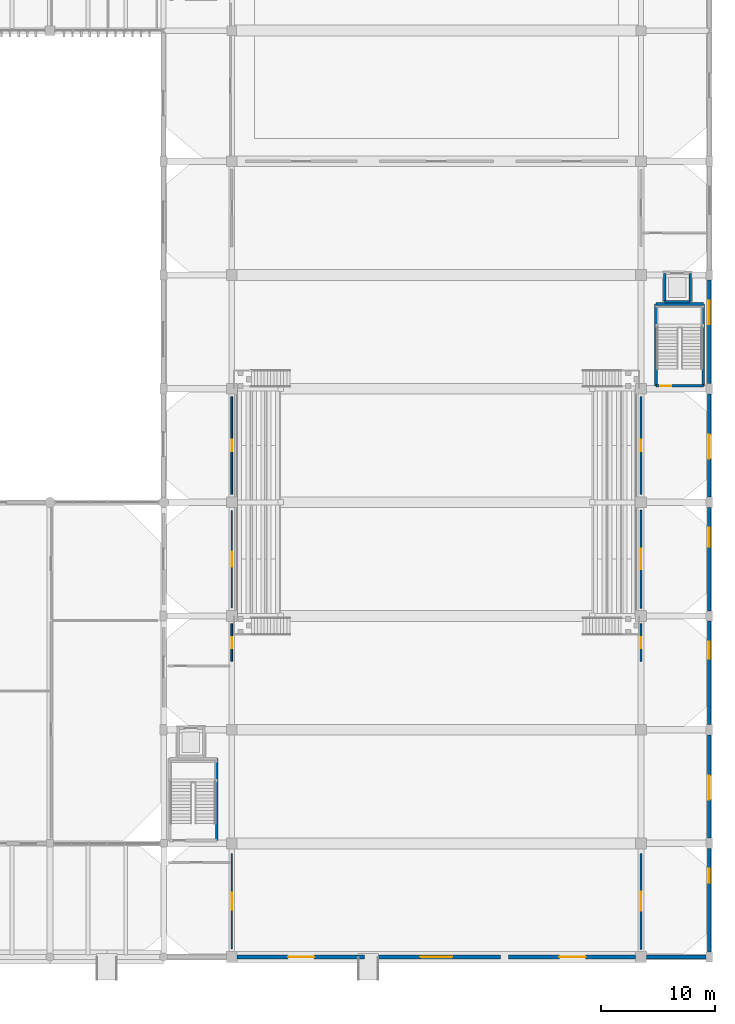
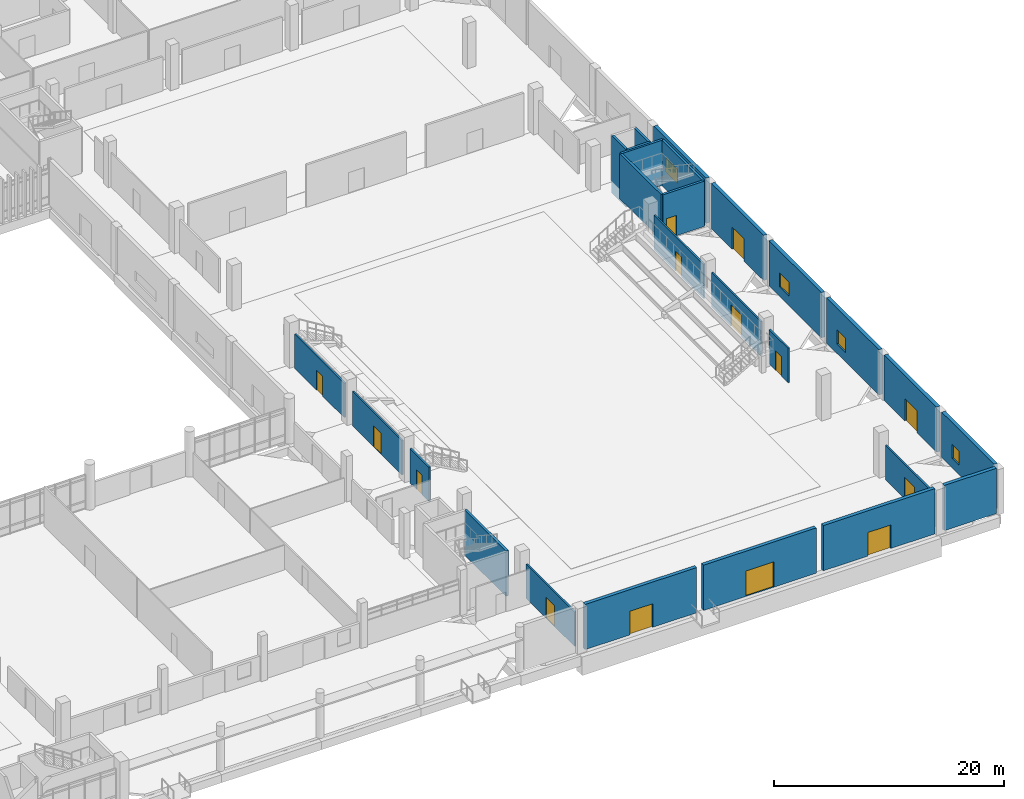
# One storey, part 76 of 87: 26 walls, 14 doors, 4 windows, 18 openings.
"""IFC4 building model written with IfcOpenShell, lengths in metres."""

from ifc_helpers import new_model, si_unit, direction, frame, frame_2d, origin, place, context, subcontext, project, spatial, rectangle, extrude, material, layer, layer_set, type_object, element, fill, save


model = new_model("IFC4")

# Units and contexts
model_context = context("Model", 3, precision=1e-05, world=origin(), true_north=direction((0.0, 1.0)))
body_context = subcontext(model_context, "Body", "Model", "MODEL_VIEW")
ifc_project = project(units=[si_unit("LENGTHUNIT", "METRE"), si_unit("AREAUNIT", "SQUARE_METRE"), si_unit("VOLUMEUNIT", "CUBIC_METRE"), si_unit("PLANEANGLEUNIT", "RADIAN"), si_unit("MASSUNIT", "GRAM", prefix="KILO")], contexts=[model_context])

# Site, building, storey
site_placement = place(None, origin())
site = spatial("IfcSite", under=ifc_project, at=site_placement, CompositionType="ELEMENT")
building_placement = place(site_placement, origin())
building = spatial("IfcBuilding", under=site, at=building_placement, Name="Mersad Railyard Sports Hall", CompositionType="ELEMENT")
storey_placement = place(building_placement, origin())
storey = spatial("IfcBuildingStorey", under=building, at=storey_placement, Name="L00", CompositionType="ELEMENT", Elevation=0.0)

# Wall, opening, door
ifc_material_1 = material(Name="Architectural concrete C50/60", Category="concrete")
ifc_layer_1 = layer(ifc_material_1, 0.35009765625)
ifc_layer_set_1 = layer_set([ifc_layer_1], Name="Architectural concrete C50/60")
wall_type_1 = type_object("IfcWallType", Name="ARC-WL-EW02", PredefinedType="SOLIDWALL", material=ifc_layer_set_1)
wall_1_placement = place(storey_placement, frame((148.64990234375, 3.5, 0.0), z_axis=(0.0, 0.0, 1.0), x_axis=(-1.0, 0.0, 0.0)))
wall_1 = element("IfcWall", 1, at=wall_1_placement, inside=storey, type_object=wall_type_1, Name="External wall EW02-0080", PredefinedType="SOLIDWALL", context=body_context, shape_type="SweptSolid", body=[
    extrude(rectangle(XDim=11.1748046875, YDim=0.35009765625, at=frame_2d((5.58740234375, 0.0))), origin(), (0.0, 0.0, 1.0), 4.800048828125),
])
opening_1_placement = place(wall_1_placement, frame((4.39990234375, 0.0, 0.0)))
opening_1 = element("IfcOpeningElement", 2, at=opening_1_placement, cuts=wall_1, Name="Opening ED04", PredefinedType="OPENING", context=body_context, shape_type="SweptSolid", body=[
    extrude(rectangle(XDim=2.300048828125, YDim=2.5, at=frame_2d((1.14990234375, 1.25))), frame((0.0, 0.18505859375, 0.0), z_axis=(0.0, -1.0, 0.0), x_axis=(1.0, 0.0, 0.0)), (0.0, 0.0, 1.0), 0.3701171875),
])
ifc_material_2 = material(Name="Aluminium 6063-T6", Category="aluminium")
door_type_1 = type_object("IfcDoorType", Name="ARC-DR-ED04", OperationType="NOTDEFINED", PredefinedType="DOOR", material=ifc_material_2)
door_1_placement = place(opening_1_placement, origin())
door_1 = element("IfcDoor", 3, at=door_1_placement, inside=storey, type_object=door_type_1, Name="Show court south exit door ED04-022", OperationType="DOUBLE_DOOR_SINGLE_SWING", OverallHeight=2.5, OverallWidth=2.300048828125, PredefinedType="DOOR", context=body_context, shape_type="SweptSolid", body=[
    extrude(rectangle(XDim=2.300048828125, YDim=2.5, at=frame_2d((1.14990234375, 1.25))), frame((0.0, 0.02490234375, 0.0), z_axis=(0.0, -1.0, 0.0), x_axis=(1.0, 0.0, 0.0)), (0.0, 0.0, 1.0), 0.050048828125),
])
fill(opening_1, door_1)

wall_2_placement = place(storey_placement, frame((160.64990234375, 3.5, 0.0), z_axis=(0.0, 0.0, 1.0), x_axis=(-1.0, 0.0, 0.0)))
wall_2 = element("IfcWall", 4, at=wall_2_placement, inside=storey, type_object=wall_type_1, Name="External wall EW02-0081", PredefinedType="SOLIDWALL", context=body_context, shape_type="SweptSolid", body=[
    extrude(rectangle(XDim=11.2998046875, YDim=0.35009765625, at=frame_2d((5.64990234375, 0.0))), origin(), (0.0, 0.0, 1.0), 4.800048828125),
])
opening_2_placement = place(wall_2_placement, frame((4.25, 0.0, 0.0)))
opening_2 = element("IfcOpeningElement", 5, at=opening_2_placement, cuts=wall_2, Name="Opening GT01", PredefinedType="OPENING", context=body_context, shape_type="SweptSolid", body=[
    extrude(rectangle(XDim=2.800048828125, YDim=2.699951171875, at=frame_2d((1.39990234375, 1.35009765625))), frame((0.0, 0.18505859375, 0.0), z_axis=(0.0, -1.0, 0.0), x_axis=(1.0, 0.0, 0.0)), (0.0, 0.0, 1.0), 0.3701171875),
])
ifc_material_3 = material(Name="Steel S355", Category="steel")
door_type_2 = type_object("IfcDoorType", Name="ARC-DR-GT01", OperationType="NOTDEFINED", PredefinedType="GATE", material=ifc_material_3)
door_2_placement = place(opening_2_placement, origin())
door_2 = element("IfcDoor", 6, at=door_2_placement, inside=storey, type_object=door_type_2, Name="Arena floor gate GT01-023", OperationType="DOUBLE_DOOR_SINGLE_SWING", OverallHeight=2.699951171875, OverallWidth=2.800048828125, PredefinedType="GATE", context=body_context, shape_type="SweptSolid", body=[
    extrude(rectangle(XDim=2.800048828125, YDim=2.699951171875, at=frame_2d((1.39990234375, 1.35009765625))), frame((0.0, 0.02490234375, 0.0), z_axis=(0.0, -1.0, 0.0), x_axis=(1.0, 0.0, 0.0)), (0.0, 0.0, 1.0), 0.050048828125),
])
fill(opening_2, door_2)

wall_3_placement = place(storey_placement, frame((172.52490234375, 3.5, 0.0), z_axis=(0.0, 0.0, 1.0), x_axis=(-1.0, 0.0, 0.0)))
wall_3 = element("IfcWall", 7, at=wall_3_placement, inside=storey, type_object=wall_type_1, Name="External wall EW02-0082", PredefinedType="SOLIDWALL", context=body_context, shape_type="SweptSolid", body=[
    extrude(rectangle(XDim=11.1748046875, YDim=0.35009765625, at=frame_2d((5.58740234375, 0.0))), origin(), (0.0, 0.0, 1.0), 4.800048828125),
])
opening_3_placement = place(wall_3_placement, frame((4.39990234375, 0.0, 0.0)))
opening_3 = element("IfcOpeningElement", 8, at=opening_3_placement, cuts=wall_3, Name="Opening ED04", PredefinedType="OPENING", context=body_context, shape_type="SweptSolid", body=[
    extrude(rectangle(XDim=2.300048828125, YDim=2.5, at=frame_2d((1.14990234375, 1.25))), frame((0.0, 0.18505859375, 0.0), z_axis=(0.0, -1.0, 0.0), x_axis=(1.0, 0.0, 0.0)), (0.0, 0.0, 1.0), 0.3701171875),
])
door_3_placement = place(opening_3_placement, origin())
door_3 = element("IfcDoor", 9, at=door_3_placement, inside=storey, type_object=door_type_1, Name="Show court south exit door ED04-024", OperationType="DOUBLE_DOOR_SINGLE_SWING", OverallHeight=2.5, OverallWidth=2.300048828125, PredefinedType="DOOR", context=body_context, shape_type="SweptSolid", body=[
    extrude(rectangle(XDim=2.300048828125, YDim=2.5, at=frame_2d((1.14990234375, 1.25))), frame((0.0, 0.02490234375, 0.0), z_axis=(0.0, -1.0, 0.0), x_axis=(1.0, 0.0, 0.0)), (0.0, 0.0, 1.0), 0.050048828125),
])
fill(opening_3, door_3)

# Wall
wall_4_placement = place(storey_placement, frame((178.699951171875, 3.5, 0.0), z_axis=(0.0, 0.0, 1.0), x_axis=(-1.0, 0.0, 0.0)))
element("IfcWall", 10, at=wall_4_placement, inside=storey, type_object=wall_type_1, Name="External wall EW02-0083", PredefinedType="SOLIDWALL", context=body_context, shape_type="SweptSolid", body=[
    extrude(rectangle(XDim=5.224853515625, YDim=0.35009765625, at=frame_2d((2.6123046875, 0.0))), origin(), (0.0, 0.0, 1.0), 4.800048828125),
])

# Wall, opening, window
wall_5_placement = place(storey_placement, frame((179.0, 13.050048828125, 0.0), z_axis=(0.0, 0.0, 1.0), x_axis=(0.0, -1.0, 0.0)))
wall_5 = element("IfcWall", 11, at=wall_5_placement, inside=storey, type_object=wall_type_1, Name="External wall EW02-0084", PredefinedType="SOLIDWALL", context=body_context, shape_type="SweptSolid", body=[
    extrude(rectangle(XDim=9.10009765625, YDim=0.35009765625, at=frame_2d((4.550048828125, 0.0))), origin(), (0.0, 0.0, 1.0), 4.800048828125),
])
opening_4_placement = place(wall_5_placement, frame((1.800048828125, 0.0, 1.0)))
opening_4 = element("IfcOpeningElement", 12, at=opening_4_placement, cuts=wall_5, Name="Opening W01", PredefinedType="OPENING", context=body_context, shape_type="SweptSolid", body=[
    extrude(rectangle(XDim=1.199951171875, YDim=1.5, at=frame_2d((0.60009765625, 0.75))), frame((0.0, 0.18505859375, 0.0), z_axis=(0.0, -1.0, 0.0), x_axis=(1.0, 0.0, 0.0)), (0.0, 0.0, 1.0), 0.3701171875),
])
ifc_material_4 = material(Name="Solar-control glass", Category="glass")
window_type_1 = type_object("IfcWindowType", Name="ARC-WN-W01", PartitioningType="SINGLE_PANEL", PredefinedType="WINDOW", material=ifc_material_4)
window_1_placement = place(opening_4_placement, origin())
window_1 = element("IfcWindow", 13, at=window_1_placement, inside=storey, type_object=window_type_1, Name="Window W01-0016", OverallHeight=1.5, OverallWidth=1.199951171875, PartitioningType="SINGLE_PANEL", PredefinedType="WINDOW", context=body_context, shape_type="SweptSolid", body=[
    extrude(rectangle(XDim=1.199951171875, YDim=1.5, at=frame_2d((0.60009765625, 0.75))), frame((0.0, 0.030029296875, 0.0), z_axis=(0.0, -1.0, 0.0), x_axis=(1.0, 0.0, 0.0)), (0.0, 0.0, 1.0), 0.06005859375),
])
fill(opening_4, window_1)

# Wall, opening, door
wall_6_placement = place(storey_placement, frame((179.0, 23.050048828125, 0.0), z_axis=(0.0, 0.0, 1.0), x_axis=(0.0, -1.0, 0.0)))
wall_6 = element("IfcWall", 14, at=wall_6_placement, inside=storey, type_object=wall_type_1, Name="External wall EW02-0085", PredefinedType="SOLIDWALL", context=body_context, shape_type="SweptSolid", body=[
    extrude(rectangle(XDim=9.10009765625, YDim=0.35009765625, at=frame_2d((4.550048828125, 0.0))), origin(), (0.0, 0.0, 1.0), 4.800048828125),
])
opening_5_placement = place(wall_6_placement, frame((3.60009765625, 0.0, 0.0)))
opening_5 = element("IfcOpeningElement", 15, at=opening_5_placement, cuts=wall_6, Name="Opening ED02", PredefinedType="OPENING", context=body_context, shape_type="SweptSolid", body=[
    extrude(rectangle(XDim=2.10009765625, YDim=2.35009765625, at=frame_2d((1.050048828125, 1.175048828125))), frame((0.0, 0.18505859375, 0.0), z_axis=(0.0, -1.0, 0.0), x_axis=(1.0, 0.0, 0.0)), (0.0, 0.0, 1.0), 0.3701171875),
])
door_type_3 = type_object("IfcDoorType", Name="ARC-DR-ED02", OperationType="NOTDEFINED", PredefinedType="DOOR", material=ifc_material_2)
door_4_placement = place(opening_5_placement, origin())
door_4 = element("IfcDoor", 16, at=door_4_placement, inside=storey, type_object=door_type_3, Name="East concourse exit door ED02-025", OperationType="DOUBLE_DOOR_SINGLE_SWING", OverallHeight=2.35009765625, OverallWidth=2.10009765625, PredefinedType="DOOR", context=body_context, shape_type="SweptSolid", body=[
    extrude(rectangle(XDim=2.10009765625, YDim=2.35009765625, at=frame_2d((1.050048828125, 1.175048828125))), frame((0.0, 0.02490234375, 0.0), z_axis=(0.0, -1.0, 0.0), x_axis=(1.0, 0.0, 0.0)), (0.0, 0.0, 1.0), 0.050048828125),
])
fill(opening_5, door_4)

# Wall, opening, window
wall_7_placement = place(storey_placement, frame((179.0, 33.050048828125, 0.0), z_axis=(0.0, 0.0, 1.0), x_axis=(0.0, -1.0, 0.0)))
wall_7 = element("IfcWall", 17, at=wall_7_placement, inside=storey, type_object=wall_type_1, Name="External wall EW02-0086", PredefinedType="SOLIDWALL", context=body_context, shape_type="SweptSolid", body=[
    extrude(rectangle(XDim=9.10009765625, YDim=0.35009765625, at=frame_2d((4.550048828125, 0.0))), origin(), (0.0, 0.0, 1.0), 4.800048828125),
])
opening_6_placement = place(wall_7_placement, frame((1.800048828125, 0.0, 1.0)))
opening_6 = element("IfcOpeningElement", 18, at=opening_6_placement, cuts=wall_7, Name="Opening W03", PredefinedType="OPENING", context=body_context, shape_type="SweptSolid", body=[
    extrude(rectangle(XDim=1.5, YDim=1.5, at=frame_2d((0.75, 0.75))), frame((0.0, 0.18505859375, 0.0), z_axis=(0.0, -1.0, 0.0), x_axis=(1.0, 0.0, 0.0)), (0.0, 0.0, 1.0), 0.3701171875),
])
window_type_2 = type_object("IfcWindowType", Name="ARC-WN-W03", PartitioningType="SINGLE_PANEL", PredefinedType="WINDOW", material=ifc_material_4)
window_2_placement = place(opening_6_placement, origin())
window_2 = element("IfcWindow", 19, at=window_2_placement, inside=storey, type_object=window_type_2, Name="Window W03-0017", OverallHeight=1.5, OverallWidth=1.5, PartitioningType="SINGLE_PANEL", PredefinedType="WINDOW", context=body_context, shape_type="SweptSolid", body=[
    extrude(rectangle(XDim=1.5, YDim=1.5, at=frame_2d((0.75, 0.75))), frame((0.0, 0.030029296875, 0.0), z_axis=(0.0, -1.0, 0.0), x_axis=(1.0, 0.0, 0.0)), (0.0, 0.0, 1.0), 0.06005859375),
])
fill(opening_6, window_2)

wall_8_placement = place(storey_placement, frame((179.0, 43.050048828125, 0.0), z_axis=(0.0, 0.0, 1.0), x_axis=(0.0, -1.0, 0.0)))
wall_8 = element("IfcWall", 20, at=wall_8_placement, inside=storey, type_object=wall_type_1, Name="External wall EW02-0087", PredefinedType="SOLIDWALL", context=body_context, shape_type="SweptSolid", body=[
    extrude(rectangle(XDim=9.10009765625, YDim=0.35009765625, at=frame_2d((4.550048828125, 0.0))), origin(), (0.0, 0.0, 1.0), 4.800048828125),
])
opening_7_placement = place(wall_8_placement, frame((1.800048828125, 0.0, 1.0)))
opening_7 = element("IfcOpeningElement", 21, at=opening_7_placement, cuts=wall_8, Name="Opening W04", PredefinedType="OPENING", context=body_context, shape_type="SweptSolid", body=[
    extrude(rectangle(XDim=1.64990234375, YDim=1.5, at=frame_2d((0.824951171875, 0.75))), frame((0.0, 0.18505859375, 0.0), z_axis=(0.0, -1.0, 0.0), x_axis=(1.0, 0.0, 0.0)), (0.0, 0.0, 1.0), 0.3701171875),
])
window_type_3 = type_object("IfcWindowType", Name="ARC-WN-W04", PartitioningType="SINGLE_PANEL", PredefinedType="WINDOW", material=ifc_material_4)
window_3_placement = place(opening_7_placement, origin())
window_3 = element("IfcWindow", 22, at=window_3_placement, inside=storey, type_object=window_type_3, Name="Window W04-0018", OverallHeight=1.5, OverallWidth=1.64990234375, PartitioningType="SINGLE_PANEL", PredefinedType="WINDOW", context=body_context, shape_type="SweptSolid", body=[
    extrude(rectangle(XDim=1.64990234375, YDim=1.5, at=frame_2d((0.824951171875, 0.75))), frame((0.0, 0.030029296875, 0.0), z_axis=(0.0, -1.0, 0.0), x_axis=(1.0, 0.0, 0.0)), (0.0, 0.0, 1.0), 0.06005859375),
])
fill(opening_7, window_3)

# Wall, opening, door
wall_9_placement = place(storey_placement, frame((179.0, 53.050048828125, 0.0), z_axis=(0.0, 0.0, 1.0), x_axis=(0.0, -1.0, 0.0)))
wall_9 = element("IfcWall", 23, at=wall_9_placement, inside=storey, type_object=wall_type_1, Name="External wall EW02-0088", PredefinedType="SOLIDWALL", context=body_context, shape_type="SweptSolid", body=[
    extrude(rectangle(XDim=9.10009765625, YDim=0.35009765625, at=frame_2d((4.550048828125, 0.0))), origin(), (0.0, 0.0, 1.0), 4.800048828125),
])
opening_8_placement = place(wall_9_placement, frame((3.60009765625, 0.0, 0.0)))
opening_8 = element("IfcOpeningElement", 24, at=opening_8_placement, cuts=wall_9, Name="Opening ED02", PredefinedType="OPENING", context=body_context, shape_type="SweptSolid", body=[
    extrude(rectangle(XDim=2.10009765625, YDim=2.35009765625, at=frame_2d((1.050048828125, 1.175048828125))), frame((0.0, 0.18505859375, 0.0), z_axis=(0.0, -1.0, 0.0), x_axis=(1.0, 0.0, 0.0)), (0.0, 0.0, 1.0), 0.3701171875),
])
door_5_placement = place(opening_8_placement, origin())
door_5 = element("IfcDoor", 25, at=door_5_placement, inside=storey, type_object=door_type_3, Name="East concourse exit door ED02-026", OperationType="DOUBLE_DOOR_SINGLE_SWING", OverallHeight=2.35009765625, OverallWidth=2.10009765625, PredefinedType="DOOR", context=body_context, shape_type="SweptSolid", body=[
    extrude(rectangle(XDim=2.10009765625, YDim=2.35009765625, at=frame_2d((1.050048828125, 1.175048828125))), frame((0.0, 0.02490234375, 0.0), z_axis=(0.0, -1.0, 0.0), x_axis=(1.0, 0.0, 0.0)), (0.0, 0.0, 1.0), 0.050048828125),
])
fill(opening_8, door_5)

# Wall, opening, window
wall_10_placement = place(storey_placement, frame((179.0, 63.050048828125, 0.0), z_axis=(0.0, 0.0, 1.0), x_axis=(0.0, -1.0, 0.0)))
wall_10 = element("IfcWall", 26, at=wall_10_placement, inside=storey, type_object=wall_type_1, Name="External wall EW02-0089", PredefinedType="SOLIDWALL", context=body_context, shape_type="SweptSolid", body=[
    extrude(rectangle(XDim=9.10009765625, YDim=0.35009765625, at=frame_2d((4.550048828125, 0.0))), origin(), (0.0, 0.0, 1.0), 4.800048828125),
])
opening_9_placement = place(wall_10_placement, frame((1.800048828125, 0.0, 1.0)))
opening_9 = element("IfcOpeningElement", 27, at=opening_9_placement, cuts=wall_10, Name="Opening W06", PredefinedType="OPENING", context=body_context, shape_type="SweptSolid", body=[
    extrude(rectangle(XDim=2.10009765625, YDim=1.5, at=frame_2d((1.050048828125, 0.75))), frame((0.0, 0.18505859375, 0.0), z_axis=(0.0, -1.0, 0.0), x_axis=(1.0, 0.0, 0.0)), (0.0, 0.0, 1.0), 0.3701171875),
])
window_type_4 = type_object("IfcWindowType", Name="ARC-WN-W06", PartitioningType="DOUBLE_PANEL_VERTICAL", PredefinedType="WINDOW", material=ifc_material_4)
window_4_placement = place(opening_9_placement, origin())
window_4 = element("IfcWindow", 28, at=window_4_placement, inside=storey, type_object=window_type_4, Name="Window W06-0019", OverallHeight=1.5, OverallWidth=2.10009765625, PartitioningType="DOUBLE_PANEL_VERTICAL", PredefinedType="WINDOW", context=body_context, shape_type="SweptSolid", body=[
    extrude(rectangle(XDim=2.10009765625, YDim=1.5, at=frame_2d((1.050048828125, 0.75))), frame((0.0, 0.030029296875, 0.0), z_axis=(0.0, -1.0, 0.0), x_axis=(1.0, 0.0, 0.0)), (0.0, 0.0, 1.0), 0.06005859375),
])
fill(opening_9, window_4)

# Wall, opening, door
ifc_material_5 = material(Name="Gypsum plasterboard", Category="gypsum")
ifc_layer_2 = layer(ifc_material_5, 0.159912109375)
ifc_layer_set_2 = layer_set([ifc_layer_2], Name="Gypsum plasterboard")
wall_type_2 = type_object("IfcWallType", Name="ARC-WL-PT02", PredefinedType="PARTITIONING", material=ifc_layer_set_2)
wall_11_placement = place(storey_placement, frame((137.0, 4.199951171875, 0.0), z_axis=(0.0, 0.0, 1.0), x_axis=(0.0, 1.0, 0.0)))
wall_11 = element("IfcWall", 29, at=wall_11_placement, inside=storey, type_object=wall_type_2, Name="Interior wall PT02-0557", PredefinedType="PARTITIONING", context=body_context, shape_type="SweptSolid", body=[
    extrude(rectangle(XDim=8.400146484375, YDim=0.159912109375, at=frame_2d((4.2001953125, 0.0))), origin(), (0.0, 0.0, 1.0), 3.64501953125),
])
opening_10_placement = place(wall_11_placement, frame((3.449951171875, 0.0, 0.0)))
opening_10 = element("IfcOpeningElement", 30, at=opening_10_placement, cuts=wall_11, Name="Opening FD10", PredefinedType="OPENING", context=body_context, shape_type="SweptSolid", body=[
    extrude(rectangle(XDim=1.5, YDim=2.199951171875, at=frame_2d((0.75, 1.10009765625))), frame((0.0, 0.08984375, 0.0), z_axis=(0.0, -1.0, 0.0), x_axis=(1.0, 0.0, 0.0)), (0.0, 0.0, 1.0), 0.179931640625),
])
door_type_4 = type_object("IfcDoorType", Name="ARC-DR-FD10", OperationType="NOTDEFINED", PredefinedType="DOOR", material=ifc_material_3)
door_6_placement = place(opening_10_placement, origin())
door_6 = element("IfcDoor", 31, at=door_6_placement, inside=storey, type_object=door_type_4, Name="West concourse arena door FD10-0260", OperationType="DOUBLE_DOOR_SINGLE_SWING", OverallHeight=2.199951171875, OverallWidth=1.5, PredefinedType="DOOR", context=body_context, shape_type="SweptSolid", body=[
    extrude(rectangle(XDim=1.5, YDim=2.199951171875, at=frame_2d((0.75, 1.10009765625))), frame((0.0, 0.02490234375, 0.0), z_axis=(0.0, -1.0, 0.0), x_axis=(1.0, 0.0, 0.0)), (0.0, 0.0, 1.0), 0.050048828125),
])
fill(opening_10, door_6)

wall_12_placement = place(storey_placement, frame((173.0, 4.199951171875, 0.0), z_axis=(0.0, 0.0, 1.0), x_axis=(0.0, 1.0, 0.0)))
wall_12 = element("IfcWall", 32, at=wall_12_placement, inside=storey, type_object=wall_type_2, Name="Interior wall PT02-0558", PredefinedType="PARTITIONING", context=body_context, shape_type="SweptSolid", body=[
    extrude(rectangle(XDim=8.400146484375, YDim=0.159912109375, at=frame_2d((4.2001953125, 0.0))), origin(), (0.0, 0.0, 1.0), 3.64501953125),
])
opening_11_placement = place(wall_12_placement, frame((3.35009765625, 0.0, 0.0)))
opening_11 = element("IfcOpeningElement", 33, at=opening_11_placement, cuts=wall_12, Name="Opening FD11", PredefinedType="OPENING", context=body_context, shape_type="SweptSolid", body=[
    extrude(rectangle(XDim=1.699951171875, YDim=2.25, at=frame_2d((0.85009765625, 1.125))), frame((0.0, 0.08984375, 0.0), z_axis=(0.0, -1.0, 0.0), x_axis=(1.0, 0.0, 0.0)), (0.0, 0.0, 1.0), 0.179931640625),
])
door_type_5 = type_object("IfcDoorType", Name="ARC-DR-FD11", OperationType="NOTDEFINED", PredefinedType="DOOR", material=ifc_material_3)
door_7_placement = place(opening_11_placement, origin())
door_7 = element("IfcDoor", 34, at=door_7_placement, inside=storey, type_object=door_type_5, Name="East concourse arena door FD11-0261", OperationType="DOUBLE_DOOR_SINGLE_SWING", OverallHeight=2.25, OverallWidth=1.699951171875, PredefinedType="DOOR", context=body_context, shape_type="SweptSolid", body=[
    extrude(rectangle(XDim=1.699951171875, YDim=2.25, at=frame_2d((0.85009765625, 1.125))), frame((0.0, 0.02490234375, 0.0), z_axis=(0.0, -1.0, 0.0), x_axis=(1.0, 0.0, 0.0)), (0.0, 0.0, 1.0), 0.050048828125),
])
fill(opening_11, door_7)

wall_13_placement = place(storey_placement, frame((137.0, 29.5, 0.0), z_axis=(0.0, 0.0, 1.0), x_axis=(0.0, 1.0, 0.0)))
wall_13 = element("IfcWall", 35, at=wall_13_placement, inside=storey, type_object=wall_type_2, Name="Interior wall PT02-0559", PredefinedType="PARTITIONING", context=body_context, shape_type="SweptSolid", body=[
    extrude(rectangle(XDim=3.300048828125, YDim=0.159912109375, at=frame_2d((1.64990234375, 0.0))), origin(), (0.0, 0.0, 1.0), 3.64501953125),
])
opening_12_placement = place(wall_13_placement, frame((1.159912109375, 0.0, 0.0)))
opening_12 = element("IfcOpeningElement", 36, at=opening_12_placement, cuts=wall_13, Name="Opening FD06", PredefinedType="OPENING", context=body_context, shape_type="SweptSolid", body=[
    extrude(rectangle(XDim=0.97998046875, YDim=2.10009765625, at=frame_2d((0.489990234375, 1.050048828125))), frame((0.0, 0.08984375, 0.0), z_axis=(0.0, -1.0, 0.0), x_axis=(1.0, 0.0, 0.0)), (0.0, 0.0, 1.0), 0.179931640625),
])
door_type_6 = type_object("IfcDoorType", Name="ARC-DR-FD06", OperationType="NOTDEFINED", PredefinedType="DOOR", material=ifc_material_3)
door_8_placement = place(opening_12_placement, origin())
door_8 = element("IfcDoor", 37, at=door_8_placement, inside=storey, type_object=door_type_6, Name="West concourse arena door FD06-0262", OperationType="SINGLE_SWING_RIGHT", OverallHeight=2.10009765625, OverallWidth=0.97998046875, PredefinedType="DOOR", context=body_context, shape_type="SweptSolid", body=[
    extrude(rectangle(XDim=0.97998046875, YDim=2.10009765625, at=frame_2d((0.489990234375, 1.050048828125))), frame((0.0, 0.02490234375, 0.0), z_axis=(0.0, -1.0, 0.0), x_axis=(1.0, 0.0, 0.0)), (0.0, 0.0, 1.0), 0.050048828125),
])
fill(opening_12, door_8)

wall_14_placement = place(storey_placement, frame((173.0, 29.5, 0.0), z_axis=(0.0, 0.0, 1.0), x_axis=(0.0, 1.0, 0.0)))
wall_14 = element("IfcWall", 38, at=wall_14_placement, inside=storey, type_object=wall_type_2, Name="Interior wall PT02-0560", PredefinedType="PARTITIONING", context=body_context, shape_type="SweptSolid", body=[
    extrude(rectangle(XDim=3.300048828125, YDim=0.159912109375, at=frame_2d((1.64990234375, 0.0))), origin(), (0.0, 0.0, 1.0), 3.64501953125),
])
opening_13_placement = place(wall_14_placement, frame((1.159912109375, 0.0, 0.0)))
opening_13 = element("IfcOpeningElement", 39, at=opening_13_placement, cuts=wall_14, Name="Opening FD06", PredefinedType="OPENING", context=body_context, shape_type="SweptSolid", body=[
    extrude(rectangle(XDim=0.97998046875, YDim=2.10009765625, at=frame_2d((0.489990234375, 1.050048828125))), frame((0.0, 0.08984375, 0.0), z_axis=(0.0, -1.0, 0.0), x_axis=(1.0, 0.0, 0.0)), (0.0, 0.0, 1.0), 0.179931640625),
])
door_9_placement = place(opening_13_placement, origin())
door_9 = element("IfcDoor", 40, at=door_9_placement, inside=storey, type_object=door_type_6, Name="East concourse arena door FD06-0263", OperationType="SINGLE_SWING_LEFT", OverallHeight=2.10009765625, OverallWidth=0.97998046875, PredefinedType="DOOR", context=body_context, shape_type="SweptSolid", body=[
    extrude(rectangle(XDim=0.97998046875, YDim=2.10009765625, at=frame_2d((0.489990234375, 1.050048828125))), frame((0.0, 0.02490234375, 0.0), z_axis=(0.0, -1.0, 0.0), x_axis=(1.0, 0.0, 0.0)), (0.0, 0.0, 1.0), 0.050048828125),
])
fill(opening_13, door_9)

wall_15_placement = place(storey_placement, frame((137.0, 34.199951171875, 0.0), z_axis=(0.0, 0.0, 1.0), x_axis=(0.0, 1.0, 0.0)))
wall_15 = element("IfcWall", 41, at=wall_15_placement, inside=storey, type_object=wall_type_2, Name="Interior wall PT02-0561", PredefinedType="PARTITIONING", context=body_context, shape_type="SweptSolid", body=[
    extrude(rectangle(XDim=8.60009765625, YDim=0.159912109375, at=frame_2d((4.300048828125, 0.0))), origin(), (0.0, 0.0, 1.0), 3.64501953125),
])
opening_14_placement = place(wall_15_placement, frame((3.64990234375, 0.0, 0.0)))
opening_14 = element("IfcOpeningElement", 42, at=opening_14_placement, cuts=wall_15, Name="Opening FD03", PredefinedType="OPENING", context=body_context, shape_type="SweptSolid", body=[
    extrude(rectangle(XDim=1.300048828125, YDim=2.199951171875, at=frame_2d((0.64990234375, 1.10009765625))), frame((0.0, 0.08984375, 0.0), z_axis=(0.0, -1.0, 0.0), x_axis=(1.0, 0.0, 0.0)), (0.0, 0.0, 1.0), 0.179931640625),
])
door_type_7 = type_object("IfcDoorType", Name="ARC-DR-FD03", OperationType="NOTDEFINED", PredefinedType="DOOR", material=ifc_material_3)
door_10_placement = place(opening_14_placement, origin())
door_10 = element("IfcDoor", 43, at=door_10_placement, inside=storey, type_object=door_type_7, Name="West concourse arena door FD03-0264", OperationType="SINGLE_SWING_RIGHT", OverallHeight=2.199951171875, OverallWidth=1.300048828125, PredefinedType="DOOR", context=body_context, shape_type="SweptSolid", body=[
    extrude(rectangle(XDim=1.300048828125, YDim=2.199951171875, at=frame_2d((0.64990234375, 1.10009765625))), frame((0.0, 0.02490234375, 0.0), z_axis=(0.0, -1.0, 0.0), x_axis=(1.0, 0.0, 0.0)), (0.0, 0.0, 1.0), 0.050048828125),
])
fill(opening_14, door_10)

wall_16_placement = place(storey_placement, frame((173.0, 34.199951171875, 0.0), z_axis=(0.0, 0.0, 1.0), x_axis=(0.0, 1.0, 0.0)))
wall_16 = element("IfcWall", 44, at=wall_16_placement, inside=storey, type_object=wall_type_2, Name="Interior wall PT02-0562", PredefinedType="PARTITIONING", context=body_context, shape_type="SweptSolid", body=[
    extrude(rectangle(XDim=8.60009765625, YDim=0.159912109375, at=frame_2d((4.300048828125, 0.0))), origin(), (0.0, 0.0, 1.0), 3.64501953125),
])
opening_15_placement = place(wall_16_placement, frame((3.39990234375, 0.0, 0.0)))
opening_15 = element("IfcOpeningElement", 45, at=opening_15_placement, cuts=wall_16, Name="Opening FD05", PredefinedType="OPENING", context=body_context, shape_type="SweptSolid", body=[
    extrude(rectangle(XDim=1.800048828125, YDim=2.25, at=frame_2d((0.89990234375, 1.125))), frame((0.0, 0.08984375, 0.0), z_axis=(0.0, -1.0, 0.0), x_axis=(1.0, 0.0, 0.0)), (0.0, 0.0, 1.0), 0.179931640625),
])
door_type_8 = type_object("IfcDoorType", Name="ARC-DR-FD05", OperationType="NOTDEFINED", PredefinedType="DOOR", material=ifc_material_3)
door_11_placement = place(opening_15_placement, origin())
door_11 = element("IfcDoor", 46, at=door_11_placement, inside=storey, type_object=door_type_8, Name="East concourse arena door FD05-0265", OperationType="DOUBLE_DOOR_SINGLE_SWING", OverallHeight=2.25, OverallWidth=1.800048828125, PredefinedType="DOOR", context=body_context, shape_type="SweptSolid", body=[
    extrude(rectangle(XDim=1.800048828125, YDim=2.25, at=frame_2d((0.89990234375, 1.125))), frame((0.0, 0.02490234375, 0.0), z_axis=(0.0, -1.0, 0.0), x_axis=(1.0, 0.0, 0.0)), (0.0, 0.0, 1.0), 0.050048828125),
])
fill(opening_15, door_11)

wall_17_placement = place(storey_placement, frame((137.0, 44.199951171875, 0.0), z_axis=(0.0, 0.0, 1.0), x_axis=(0.0, 1.0, 0.0)))
wall_17 = element("IfcWall", 47, at=wall_17_placement, inside=storey, type_object=wall_type_2, Name="Interior wall PT02-0563", PredefinedType="PARTITIONING", context=body_context, shape_type="SweptSolid", body=[
    extrude(rectangle(XDim=8.60009765625, YDim=0.159912109375, at=frame_2d((4.300048828125, 0.0))), origin(), (0.0, 0.0, 1.0), 3.64501953125),
])
opening_16_placement = place(wall_17_placement, frame((3.81005859375, 0.0, 0.0)))
opening_16 = element("IfcOpeningElement", 48, at=opening_16_placement, cuts=wall_17, Name="Opening FD06", PredefinedType="OPENING", context=body_context, shape_type="SweptSolid", body=[
    extrude(rectangle(XDim=0.97998046875, YDim=2.10009765625, at=frame_2d((0.489990234375, 1.050048828125))), frame((0.0, 0.08984375, 0.0), z_axis=(0.0, -1.0, 0.0), x_axis=(1.0, 0.0, 0.0)), (0.0, 0.0, 1.0), 0.179931640625),
])
door_12_placement = place(opening_16_placement, origin())
door_12 = element("IfcDoor", 49, at=door_12_placement, inside=storey, type_object=door_type_6, Name="West concourse arena door FD06-0266", OperationType="SINGLE_SWING_LEFT", OverallHeight=2.10009765625, OverallWidth=0.97998046875, PredefinedType="DOOR", context=body_context, shape_type="SweptSolid", body=[
    extrude(rectangle(XDim=0.97998046875, YDim=2.10009765625, at=frame_2d((0.489990234375, 1.050048828125))), frame((0.0, 0.02490234375, 0.0), z_axis=(0.0, -1.0, 0.0), x_axis=(1.0, 0.0, 0.0)), (0.0, 0.0, 1.0), 0.050048828125),
])
fill(opening_16, door_12)

wall_18_placement = place(storey_placement, frame((173.0, 44.199951171875, 0.0), z_axis=(0.0, 0.0, 1.0), x_axis=(0.0, 1.0, 0.0)))
wall_18 = element("IfcWall", 50, at=wall_18_placement, inside=storey, type_object=wall_type_2, Name="Interior wall PT02-0564", PredefinedType="PARTITIONING", context=body_context, shape_type="SweptSolid", body=[
    extrude(rectangle(XDim=8.60009765625, YDim=0.159912109375, at=frame_2d((4.300048828125, 0.0))), origin(), (0.0, 0.0, 1.0), 3.64501953125),
])
opening_17_placement = place(wall_18_placement, frame((3.77490234375, 0.0, 0.0)))
opening_17 = element("IfcOpeningElement", 51, at=opening_17_placement, cuts=wall_18, Name="Opening FD07", PredefinedType="OPENING", context=body_context, shape_type="SweptSolid", body=[
    extrude(rectangle(XDim=1.050048828125, YDim=2.10009765625, at=frame_2d((0.52490234375, 1.050048828125))), frame((0.0, 0.08984375, 0.0), z_axis=(0.0, -1.0, 0.0), x_axis=(1.0, 0.0, 0.0)), (0.0, 0.0, 1.0), 0.179931640625),
])
door_type_9 = type_object("IfcDoorType", Name="ARC-DR-FD07", OperationType="NOTDEFINED", PredefinedType="DOOR", material=ifc_material_3)
door_13_placement = place(opening_17_placement, origin())
door_13 = element("IfcDoor", 52, at=door_13_placement, inside=storey, type_object=door_type_9, Name="East concourse arena door FD07-0267", OperationType="SINGLE_SWING_RIGHT", OverallHeight=2.10009765625, OverallWidth=1.050048828125, PredefinedType="DOOR", context=body_context, shape_type="SweptSolid", body=[
    extrude(rectangle(XDim=1.050048828125, YDim=2.10009765625, at=frame_2d((0.52490234375, 1.050048828125))), frame((0.0, 0.02490234375, 0.0), z_axis=(0.0, -1.0, 0.0), x_axis=(1.0, 0.0, 0.0)), (0.0, 0.0, 1.0), 0.050048828125),
])
fill(opening_17, door_13)

# Walls
ifc_material_6 = material(Name="Concrete C40/50", Category="concrete")
ifc_layer_3 = layer(ifc_material_6, 0.239990234375)
ifc_layer_set_3 = layer_set([ifc_layer_3], Name="Concrete C40/50")
wall_type_3 = type_object("IfcWallType", Name="STR-WL-SW03", PredefinedType="SHEAR", material=ifc_layer_set_3)
wall_19_placement = place(storey_placement, frame((175.074951171875, 61.14990234375, -1.300048828125), z_axis=(0.0, 0.0, 1.0), x_axis=(0.0, 1.0, 0.0)))
element("IfcWall", 53, at=wall_19_placement, inside=storey, type_object=wall_type_3, Name="Lift PL-06 west shaft wall L00", PredefinedType="SHEAR", context=body_context, shape_type="SweptSolid", body=[
    extrude(rectangle(XDim=2.5, YDim=0.239990234375, at=frame_2d((1.25, 0.0))), origin(), (0.0, 0.0, 1.0), 6.10009765625),
])
wall_20_placement = place(storey_placement, frame((177.324951171875, 63.64990234375, 0.0), z_axis=(0.0, 0.0, 1.0), x_axis=(0.0, -1.0, 0.0)))
element("IfcWall", 54, at=wall_20_placement, inside=storey, type_object=wall_type_3, Name="Interior wall SW03-0100", PredefinedType="SHEAR", context=body_context, shape_type="SweptSolid", body=[
    extrude(rectangle(XDim=2.5, YDim=0.239990234375, at=frame_2d((1.25, 0.0))), origin(), (0.0, 0.0, 1.0), 4.800048828125),
])
wall_21_placement = place(storey_placement, frame((177.324951171875, 61.14990234375, 0.0), z_axis=(0.0, 0.0, 1.0), x_axis=(-1.0, 0.0, 0.0)))
element("IfcWall", 55, at=wall_21_placement, inside=storey, type_object=wall_type_3, Name="Interior wall SW03-0101", PredefinedType="SHEAR", context=body_context, shape_type="SweptSolid", body=[
    extrude(rectangle(XDim=2.25, YDim=0.239990234375, at=frame_2d((1.125, 0.0))), origin(), (0.0, 0.0, 1.0), 4.800048828125),
])
for number, where, z_axis, x_axis, name in (
    (56, (135.679931640625, 13.75, 0.0), (0.0, 0.0, 1.0), (0.0, 1.0, 0.0), "Interior wall SW03-0349"),
    (57, (174.320068359375, 53.75, 0.0), (0.0, 0.0, 1.0), (0.0, 1.0, 0.0), "Interior wall SW03-0356"),
    (58, (178.47998046875, 53.75, 0.0), (0.0, 0.0, 1.0), (0.0, 1.0, 0.0), "Interior wall SW03-0357"),
):
    element("IfcWall", number, at=place(storey_placement, frame(where, z_axis=z_axis, x_axis=x_axis)), inside=storey, type_object=wall_type_3, Name=name, PredefinedType="SHEAR", context=body_context, shape_type="SweptSolid", body=[
        extrude(rectangle(XDim=7.199951171875, YDim=0.239990234375, at=frame_2d((3.60009765625, 0.0))), origin(), (0.0, 0.0, 1.0), 4.800048828125),
    ])
wall_22_placement = place(storey_placement, frame((174.320068359375, 60.949951171875, 0.0), z_axis=(0.0, 0.0, 1.0), x_axis=(1.0, 0.0, 0.0)))
element("IfcWall", 59, at=wall_22_placement, inside=storey, type_object=wall_type_3, Name="Interior wall SW03-0358", PredefinedType="SHEAR", context=body_context, shape_type="SweptSolid", body=[
    extrude(rectangle(XDim=4.159912109375, YDim=0.239990234375, at=frame_2d((2.080078125, 0.0))), origin(), (0.0, 0.0, 1.0), 4.800048828125),
])

# Wall, opening, door
wall_23_placement = place(storey_placement, frame((174.320068359375, 53.75, 0.0), z_axis=(0.0, 0.0, 1.0), x_axis=(1.0, 0.0, 0.0)))
wall_23 = element("IfcWall", 60, at=wall_23_placement, inside=storey, type_object=wall_type_3, Name="Interior wall SW03-0359", PredefinedType="SHEAR", context=body_context, shape_type="SweptSolid", body=[
    extrude(rectangle(XDim=4.159912109375, YDim=0.239990234375, at=frame_2d((2.080078125, 0.0))), origin(), (0.0, 0.0, 1.0), 4.800048828125),
])
opening_18_placement = place(wall_23_placement, frame((0.35009765625, 0.0, 0.0)))
opening_18 = element("IfcOpeningElement", 61, at=opening_18_placement, cuts=wall_23, Name="Opening FD02", PredefinedType="OPENING", context=body_context, shape_type="SweptSolid", body=[
    extrude(rectangle(XDim=1.0, YDim=2.14990234375, at=frame_2d((0.5, 1.074951171875))), frame((0.0, 0.1298828125, 0.0), z_axis=(0.0, -1.0, 0.0), x_axis=(1.0, 0.0, 0.0)), (0.0, 0.0, 1.0), 0.260009765625),
])
door_type_10 = type_object("IfcDoorType", Name="ARC-DR-FD02", OperationType="NOTDEFINED", PredefinedType="DOOR", material=ifc_material_3)
door_14_placement = place(opening_18_placement, origin())
door_14 = element("IfcDoor", 62, at=door_14_placement, inside=storey, type_object=door_type_10, Name="C6 stair door FD02-0159", OperationType="SINGLE_SWING_RIGHT", OverallHeight=2.14990234375, OverallWidth=1.0, PredefinedType="DOOR", context=body_context, shape_type="SweptSolid", body=[
    extrude(rectangle(XDim=1.0, YDim=2.14990234375, at=frame_2d((0.5, 1.074951171875))), frame((0.0, 0.02490234375, 0.0), z_axis=(0.0, -1.0, 0.0), x_axis=(1.0, 0.0, 0.0)), (0.0, 0.0, 1.0), 0.050048828125),
])
fill(opening_18, door_14)

save(model, "model.ifc")
